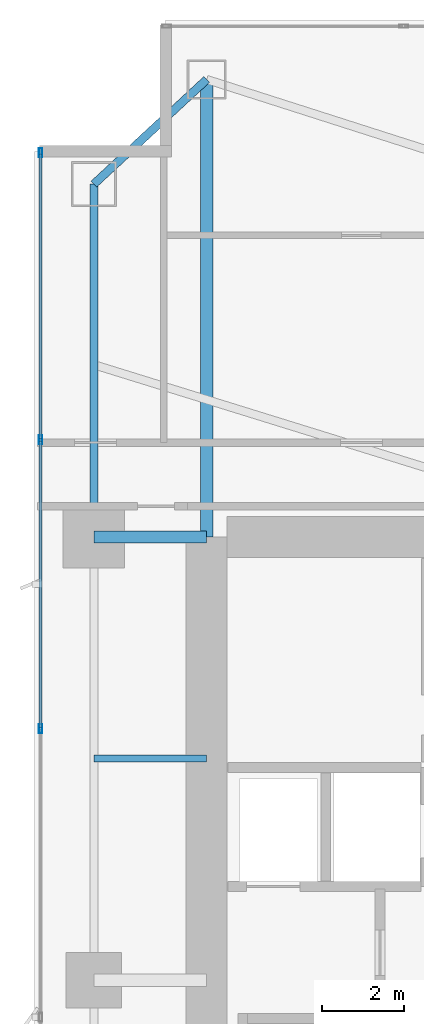
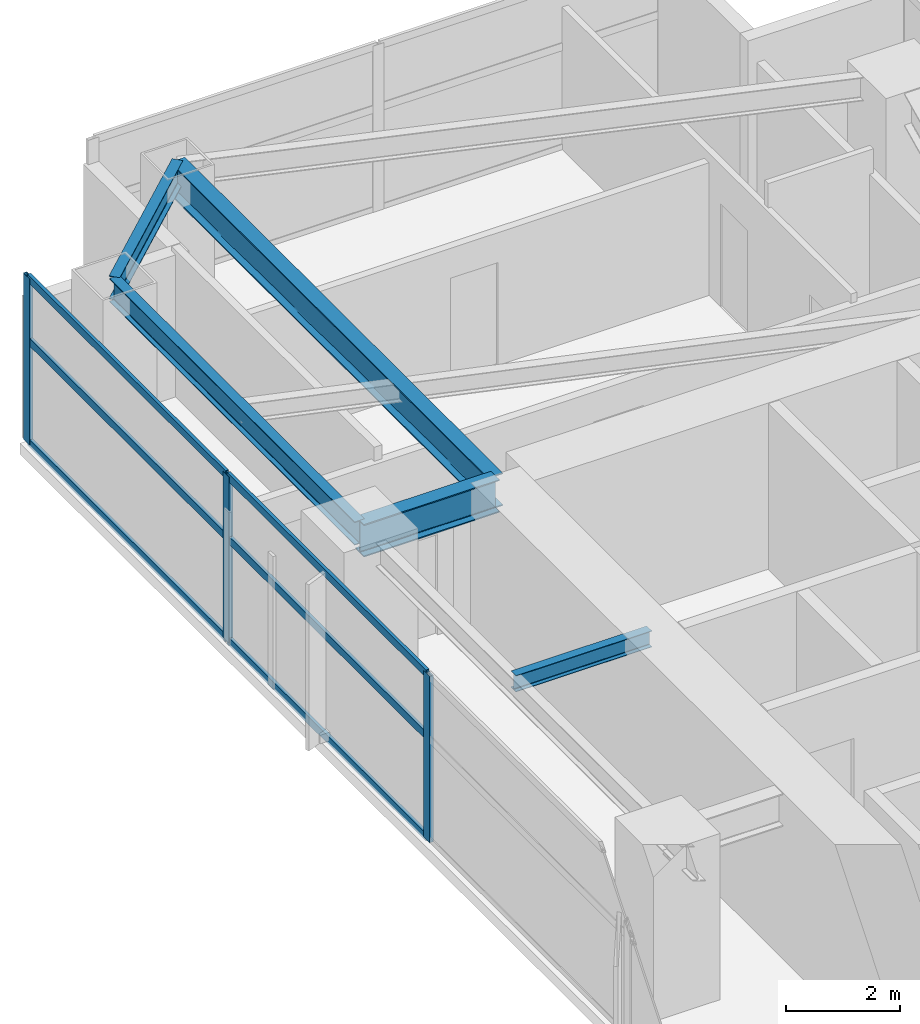
# One storey, part 16 of 30: 9 members, 5 beams, 1 element without a shape of its own.
"""IFC4 building model written with IfcOpenShell, lengths in metres."""

from ifc_helpers import new_model, si_unit, direction, frame, origin, origin_2d, place, context, subcontext, project, spatial, hollow_rectangle, i_section, extrude, material, layer, layer_set, material_profile, profile_set, type_object, element, aggregate, save


model = new_model("IFC4")

# Units and contexts
model_context = context("Model", 3, precision=1e-05, world=origin(), true_north=direction((0.0, 1.0)))
body_context = subcontext(model_context, "Body", "Model", "MODEL_VIEW")
ifc_project = project(units=[si_unit("LENGTHUNIT", "METRE"), si_unit("AREAUNIT", "SQUARE_METRE"), si_unit("VOLUMEUNIT", "CUBIC_METRE"), si_unit("PLANEANGLEUNIT", "RADIAN"), si_unit("MASSUNIT", "GRAM", prefix="KILO")], contexts=[model_context])

# Site, building, storey
site_placement = place(None, origin())
site = spatial("IfcSite", under=ifc_project, at=site_placement, CompositionType="ELEMENT")
building_placement = place(site_placement, origin())
building = spatial("IfcBuilding", under=site, at=building_placement, Name="Calvorn Quay Hotel", CompositionType="ELEMENT")
storey_placement = place(building_placement, frame((0.0, 0.0, 30.800048828125)))
storey = spatial("IfcBuildingStorey", under=building, at=storey_placement, Name="L06", CompositionType="ELEMENT", Elevation=30.800048828125)

# Beams
ifc_material_1 = material(Name="Steel Q390GJC", Category="steel")
ifc_material_profile_1 = material_profile(ifc_material_1, i_section(OverallWidth=0.300048828125, OverallDepth=0.699951171875, WebThickness=0.012939453125, FlangeThickness=0.02392578125, FilletRadius=0.02392578125, at=origin_2d()), Name="HN700x300x13x24")
ifc_profile_set_1 = profile_set([ifc_material_profile_1], Name="Steel Q390GJC")
beam_type_1 = type_object("IfcBeamType", Name="BM-GIRD-MAIN", PredefinedType="BEAM", material=ifc_profile_set_1)
beam_1_placement = place(storey_placement, frame((1.449951171875, 38.39990234375, 3.18994140625), z_axis=(1.0, 0.0, 0.0), x_axis=(0.0, 1.0, 0.0)))
element("IfcBeam", 1, at=beam_1_placement, inside=storey, type_object=beam_type_1, Name="Beam BG-L06-W3", PredefinedType="BEAM", context=body_context, shape_type="SweptSolid", body=[
    extrude(i_section(OverallWidth=0.300048828125, OverallDepth=0.699951171875, WebThickness=0.012939453125, FlangeThickness=0.02392578125, FilletRadius=0.02392578125, at=origin_2d()), origin(), (0.0, 0.0, 1.0), 2.75),
])
beam_2_placement = place(storey_placement, frame((4.199951171875, 49.550048828125, 3.18994140625), z_axis=(0.0, -1.0, 0.0), x_axis=(1.0, 0.0, 0.0)))
element("IfcBeam", 2, at=beam_2_placement, inside=storey, type_object=beam_type_1, Name="Beam BG-L06-W5", PredefinedType="BEAM", context=body_context, shape_type="SweptSolid", body=[
    extrude(i_section(OverallWidth=0.300048828125, OverallDepth=0.699951171875, WebThickness=0.012939453125, FlangeThickness=0.02392578125, FilletRadius=0.02392578125, at=origin_2d()), origin(), (0.0, 0.0, 1.0), 11.150146484375),
])
ifc_material_2 = material(Name="Steel Q355B", Category="steel")
ifc_material_profile_2 = material_profile(ifc_material_2, i_section(OverallWidth=0.175048828125, OverallDepth=0.35009765625, WebThickness=0.007080078125, FlangeThickness=0.010986328125, FilletRadius=0.013916015625, at=origin_2d()), Name="HN350x175x7x11")
ifc_profile_set_2 = profile_set([ifc_material_profile_2], Name="Steel Q355B")
beam_type_2 = type_object("IfcBeamType", Name="BM-JOIST-SEC", PredefinedType="JOIST", material=ifc_profile_set_2)
beam_3_placement = place(storey_placement, frame((1.449951171875, 33.0, 3.364990234375), z_axis=(1.0, 0.0, 0.0), x_axis=(0.0, 1.0, 0.0)))
element("IfcBeam", 3, at=beam_3_placement, inside=storey, type_object=beam_type_2, Name="Beam BJ-L06-W4", PredefinedType="JOIST", context=body_context, shape_type="SweptSolid", body=[
    extrude(i_section(OverallWidth=0.175048828125, OverallDepth=0.35009765625, WebThickness=0.007080078125, FlangeThickness=0.010986328125, FilletRadius=0.013916015625, at=origin_2d()), origin(), (0.0, 0.0, 1.0), 2.75),
])
ifc_material_3 = material(Name="Steel Q355B", Category="steel")
ifc_material_profile_3 = material_profile(ifc_material_3, i_section(OverallWidth=0.199951171875, OverallDepth=0.5, WebThickness=0.010009765625, FlangeThickness=0.01611328125, FilletRadius=0.01611328125, at=origin_2d()), Name="HN500x200x10x16")
ifc_profile_set_3 = profile_set([ifc_material_profile_3], Name="Steel Q355B")
beam_type_3 = type_object("IfcBeamType", Name="BM-SPANDREL-Z1", PredefinedType="SPANDREL", material=ifc_profile_set_3)
beam_4_placement = place(storey_placement, frame((1.449951171875, 38.39990234375, 3.2900390625), z_axis=(0.0, 1.0, 0.0), x_axis=(-1.0, 0.0, 0.0)))
element("IfcBeam", 4, at=beam_4_placement, inside=storey, type_object=beam_type_3, Name="Beam BSP-L06-W4", PredefinedType="SPANDREL", context=body_context, shape_type="SweptSolid", body=[
    extrude(i_section(OverallWidth=0.199951171875, OverallDepth=0.5, WebThickness=0.010009765625, FlangeThickness=0.01611328125, FilletRadius=0.01611328125, at=origin_2d()), origin(), (0.0, 0.0, 1.0), 8.60009765625),
])
beam_5_placement = place(storey_placement, frame((1.449951171875, 47.0, 3.2900390625), z_axis=(0.733261665538, 0.679946563969, 0.0), x_axis=(-0.679946563969, 0.733261665538, 0.0)))
element("IfcBeam", 5, at=beam_5_placement, inside=storey, type_object=beam_type_3, Name="Beam BSP-L06-W5", PredefinedType="SPANDREL", context=body_context, shape_type="SweptSolid", body=[
    extrude(i_section(OverallWidth=0.199951171875, OverallDepth=0.5, WebThickness=0.010009765625, FlangeThickness=0.01611328125, FilletRadius=0.01611328125, at=origin_2d()), origin(), (0.0, 0.0, 1.0), 3.75048828125),
])

# Curtain wall, members
ifc_material_4 = material(Name="Pale Anodised Aluminium and Low-E Glass", Category="aluminium")
ifc_layer = layer(ifc_material_4, 0.219970703125)
ifc_layer_set = layer_set([ifc_layer], Name="CW-SYS-Z1")
curtain_wall_type = type_object("IfcCurtainWallType", Name="CW-SYS-Z1", PredefinedType="NOTDEFINED", material=ifc_layer_set)
curtain_wall_placement = place(storey_placement, origin())
curtain_wall = element("IfcCurtainWall", 6, at=curtain_wall_placement, inside=storey, type_object=curtain_wall_type, Name="Tower West Curtain Wall (L06)", PredefinedType="NOTDEFINED")
ifc_material_5 = material(Name="Pale Anodised Aluminium 6063-T6", Category="aluminium")
ifc_material_profile_4 = material_profile(ifc_material_5, hollow_rectangle(XDim=0.074951171875, YDim=0.219970703125, WallThickness=0.00439453125, at=origin_2d()), Name="ALU-M220x75x4.5")
ifc_profile_set_4 = profile_set([ifc_material_profile_4], Name="Pale Anodised Aluminium 6063-T6")
member_type_1 = type_object("IfcMemberType", Name="CW-SYS-Z1-MUL", PredefinedType="MULLION", material=ifc_profile_set_4)
member_1_placement = place(storey_placement, frame((0.14990234375, 33.7333984375, 0.0), z_axis=(0.0, 0.0, 1.0), x_axis=(-1.0, 0.0, 0.0)))
member_1 = element("IfcMember", 7, at=member_1_placement, type_object=member_type_1, Name="CW-L06-W mullion 5", PredefinedType="MULLION", context=body_context, shape_type="SweptSolid", body=[
    extrude(hollow_rectangle(XDim=0.074951171875, YDim=0.219970703125, WallThickness=0.00439453125, at=origin_2d()), origin(), (0.0, 0.0, 1.0), 3.56005859375),
])
member_2_placement = place(storey_placement, frame((0.14990234375, 40.7666015625, 0.0), z_axis=(0.0, 0.0, 1.0), x_axis=(-1.0, 0.0, 0.0)))
member_2 = element("IfcMember", 8, at=member_2_placement, type_object=member_type_1, Name="CW-L06-W mullion 6", PredefinedType="MULLION", context=body_context, shape_type="SweptSolid", body=[
    extrude(hollow_rectangle(XDim=0.074951171875, YDim=0.219970703125, WallThickness=0.00439453125, at=origin_2d()), origin(), (0.0, 0.0, 1.0), 3.56005859375),
])
member_3_placement = place(storey_placement, frame((0.14990234375, 47.77001953125, 0.0), z_axis=(0.0, 0.0, 1.0), x_axis=(-1.0, 0.0, 0.0)))
member_3 = element("IfcMember", 9, at=member_3_placement, type_object=member_type_1, Name="CW-L06-W mullion 7", PredefinedType="MULLION", context=body_context, shape_type="SweptSolid", body=[
    extrude(hollow_rectangle(XDim=0.074951171875, YDim=0.219970703125, WallThickness=0.00439453125, at=origin_2d()), origin(), (0.0, 0.0, 1.0), 3.56005859375),
])
ifc_material_6 = material(Name="Pale Anodised Aluminium 6063-T6", Category="aluminium")
ifc_material_profile_5 = material_profile(ifc_material_6, hollow_rectangle(XDim=0.06494140625, YDim=0.1650390625, WallThickness=0.00341796875, at=origin_2d()), Name="ALU-T165x65x3.5")
ifc_profile_set_5 = profile_set([ifc_material_profile_5], Name="Pale Anodised Aluminium 6063-T6")
member_type_2 = type_object("IfcMemberType", Name="CW-SYS-Z1-TRN", PredefinedType="USERDEFINED", material=ifc_profile_set_5)
member_4_placement = place(storey_placement, frame((0.14990234375, 33.763427734375, 0.030029296875), z_axis=(0.0, 1.0, 0.0), x_axis=(-1.0, 0.0, 0.0)))
member_4 = element("IfcMember", 10, at=member_4_placement, type_object=member_type_2, Name="CW-L06-W transom 5.1", ObjectType="TRANSOM", PredefinedType="USERDEFINED", context=body_context, shape_type="SweptSolid", body=[
    extrude(hollow_rectangle(XDim=0.06494140625, YDim=0.1650390625, WallThickness=0.00341796875, at=origin_2d()), origin(), (0.0, 0.0, 1.0), 6.97314453125),
])
member_5_placement = place(storey_placement, frame((0.14990234375, 33.763427734375, 2.199951171875), z_axis=(0.0, 1.0, 0.0), x_axis=(-1.0, 0.0, 0.0)))
member_5 = element("IfcMember", 11, at=member_5_placement, type_object=member_type_2, Name="CW-L06-W transom 5.2", ObjectType="TRANSOM", PredefinedType="USERDEFINED", context=body_context, shape_type="SweptSolid", body=[
    extrude(hollow_rectangle(XDim=0.06494140625, YDim=0.1650390625, WallThickness=0.00341796875, at=origin_2d()), origin(), (0.0, 0.0, 1.0), 6.97314453125),
])
member_6_placement = place(storey_placement, frame((0.14990234375, 33.763427734375, 3.530029296875), z_axis=(0.0, 1.0, 0.0), x_axis=(-1.0, 0.0, 0.0)))
member_6 = element("IfcMember", 12, at=member_6_placement, type_object=member_type_2, Name="CW-L06-W transom 5.3", ObjectType="TRANSOM", PredefinedType="USERDEFINED", context=body_context, shape_type="SweptSolid", body=[
    extrude(hollow_rectangle(XDim=0.06494140625, YDim=0.1650390625, WallThickness=0.00341796875, at=origin_2d()), origin(), (0.0, 0.0, 1.0), 6.97314453125),
])
member_7_placement = place(storey_placement, frame((0.14990234375, 40.796630859375, 0.030029296875), z_axis=(0.0, 1.0, 0.0), x_axis=(-1.0, 0.0, 0.0)))
member_7 = element("IfcMember", 13, at=member_7_placement, type_object=member_type_2, Name="CW-L06-W transom 6.1", ObjectType="TRANSOM", PredefinedType="USERDEFINED", context=body_context, shape_type="SweptSolid", body=[
    extrude(hollow_rectangle(XDim=0.06494140625, YDim=0.1650390625, WallThickness=0.00341796875, at=origin_2d()), origin(), (0.0, 0.0, 1.0), 6.943359375),
])
member_8_placement = place(storey_placement, frame((0.14990234375, 40.796630859375, 2.199951171875), z_axis=(0.0, 1.0, 0.0), x_axis=(-1.0, 0.0, 0.0)))
member_8 = element("IfcMember", 14, at=member_8_placement, type_object=member_type_2, Name="CW-L06-W transom 6.2", ObjectType="TRANSOM", PredefinedType="USERDEFINED", context=body_context, shape_type="SweptSolid", body=[
    extrude(hollow_rectangle(XDim=0.06494140625, YDim=0.1650390625, WallThickness=0.00341796875, at=origin_2d()), origin(), (0.0, 0.0, 1.0), 6.943359375),
])
member_9_placement = place(storey_placement, frame((0.14990234375, 40.796630859375, 3.530029296875), z_axis=(0.0, 1.0, 0.0), x_axis=(-1.0, 0.0, 0.0)))
member_9 = element("IfcMember", 15, at=member_9_placement, type_object=member_type_2, Name="CW-L06-W transom 6.3", ObjectType="TRANSOM", PredefinedType="USERDEFINED", context=body_context, shape_type="SweptSolid", body=[
    extrude(hollow_rectangle(XDim=0.06494140625, YDim=0.1650390625, WallThickness=0.00341796875, at=origin_2d()), origin(), (0.0, 0.0, 1.0), 6.943359375),
])
aggregate(curtain_wall, [member_1, member_2, member_3, member_4, member_5, member_6, member_7, member_8, member_9])

save(model, "model.ifc")
